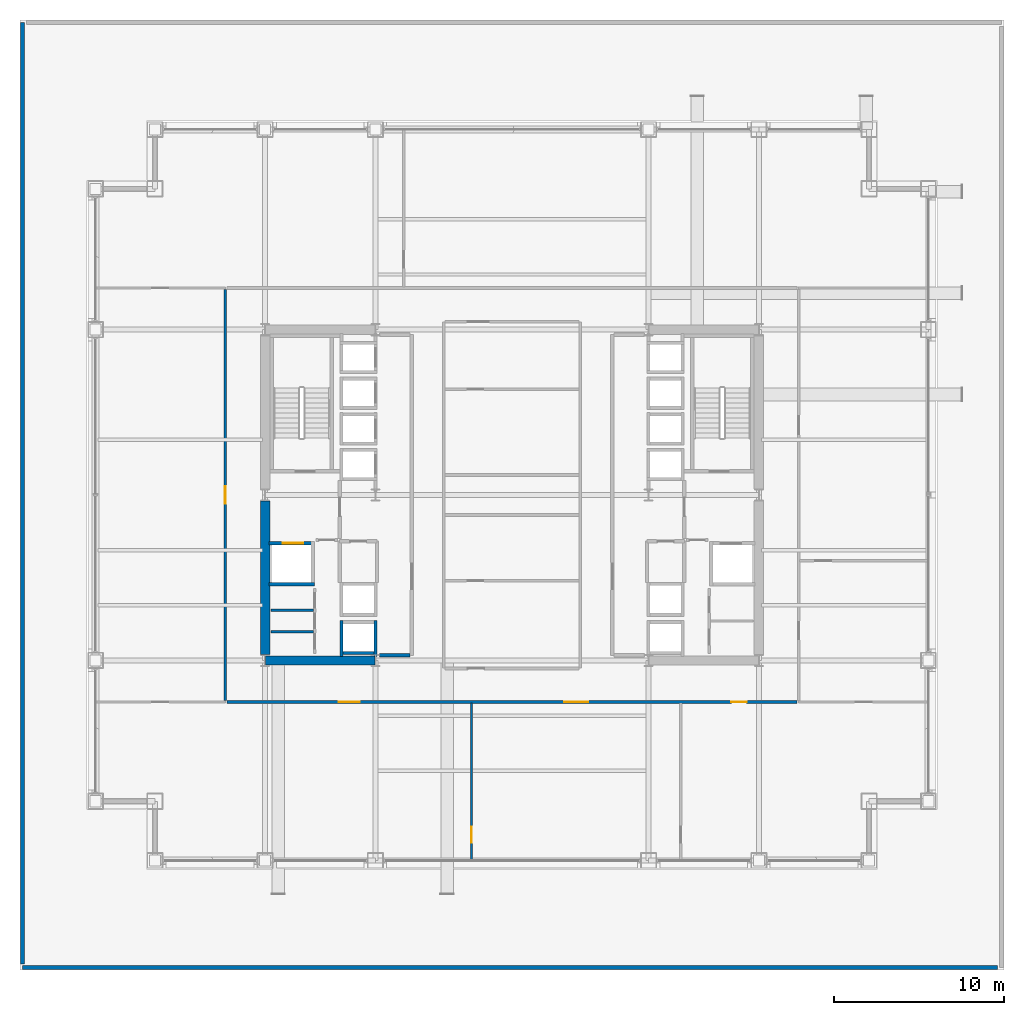
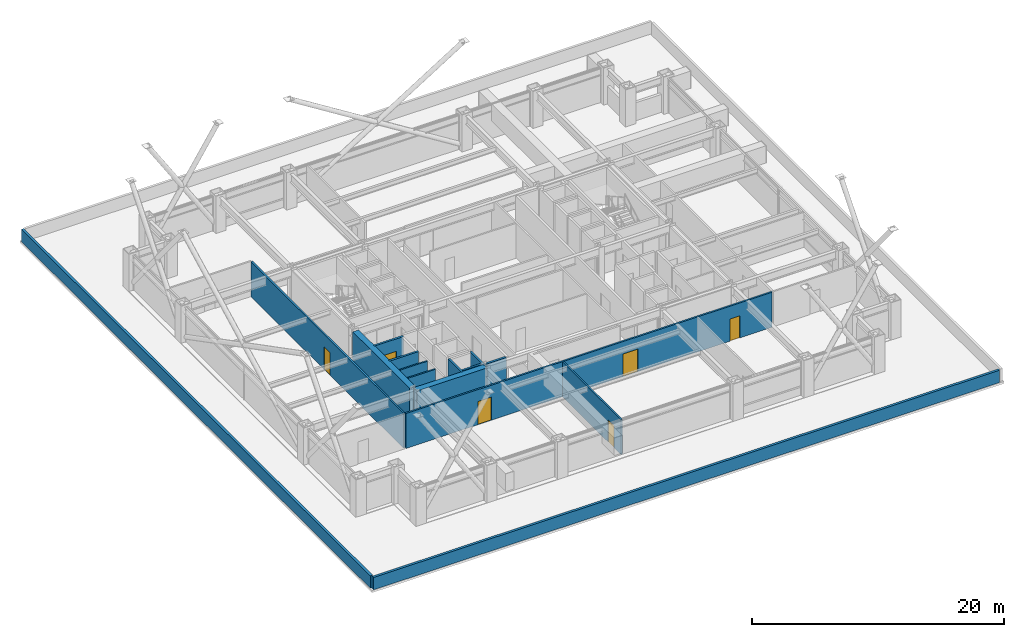
# One storey, part 29 of 33: 15 walls, 6 doors, 6 openings.
"""IFC4 building model written with IfcOpenShell, lengths in metres."""

from ifc_helpers import new_model, si_unit, direction, frame, frame_2d, origin, place, context, subcontext, project, spatial, rectangle, extrude, material, layer, layer_set, type_object, element, fill, save


model = new_model("IFC4")

# Units and contexts
model_context = context("Model", 3, precision=1e-05, world=origin(), true_north=direction((0.0, 1.0)))
body_context = subcontext(model_context, "Body", "Model", "MODEL_VIEW")
ifc_project = project(units=[si_unit("LENGTHUNIT", "METRE"), si_unit("AREAUNIT", "SQUARE_METRE"), si_unit("VOLUMEUNIT", "CUBIC_METRE"), si_unit("PLANEANGLEUNIT", "RADIAN"), si_unit("MASSUNIT", "GRAM", prefix="KILO")], contexts=[model_context])

# Site, building, storey
site_placement = place(None, origin())
site = spatial("IfcSite", under=ifc_project, at=site_placement, CompositionType="ELEMENT")
building_placement = place(site_placement, origin())
building = spatial("IfcBuilding", under=site, at=building_placement, Name="Brelmoor Portico Tower", CompositionType="ELEMENT")
storey_placement = place(building_placement, frame((0.0, 0.0, 24.0)))
storey = spatial("IfcBuildingStorey", under=building, at=storey_placement, Name="L05", CompositionType="ELEMENT", Elevation=24.0)

# Walls
ifc_material_1 = material(Name="Concrete C60", Category="concrete")
ifc_layer_1 = layer(ifc_material_1, 0.550048828125)
ifc_layer_set_1 = layer_set([ifc_layer_1], Name="Concrete C60")
wall_type_1 = type_object("IfcWallType", Name="WL-CORE-550", PredefinedType="SHEAR", material=ifc_layer_set_1)
wall_1_placement = place(storey_placement, frame((-14.530029296875, -9.75, -0.199951171875), z_axis=(0.0, 0.0, 1.0), x_axis=(1.0, 0.0, 0.0)))
element("IfcWall", 1, at=wall_1_placement, inside=storey, type_object=wall_type_1, Name="L05 WC South Shear Wall", PredefinedType="SHEAR", context=body_context, shape_type="SweptSolid", body=[
    extrude(rectangle(XDim=6.4599609375, YDim=0.550048828125, at=frame_2d((3.22998046875, 0.0))), origin(), (0.0, 0.0, 1.0), 3.599853515625),
])
wall_2_placement = place(storey_placement, frame((-14.550048828125, -9.39990234375, -0.199951171875), z_axis=(0.0, 0.0, 1.0), x_axis=(0.0, 1.0, 0.0)))
element("IfcWall", 2, at=wall_2_placement, inside=storey, type_object=wall_type_1, Name="L05 WC Outer South Shear Wall", PredefinedType="SHEAR", context=body_context, shape_type="SweptSolid", body=[
    extrude(rectangle(XDim=9.0498046875, YDim=0.550048828125, at=frame_2d((4.52490234375, 0.0))), origin(), (0.0, 0.0, 1.0), 3.599853515625),
])
ifc_material_2 = material(Name="Concrete C40 Parapet Upstand", Category="concrete")
ifc_layer_2 = layer(ifc_material_2, 0.219970703125)
ifc_layer_set_2 = layer_set([ifc_layer_2], Name="Concrete C40 Parapet Upstand")
wall_type_2 = type_object("IfcWallType", Name="WL-PARAPET-220", PredefinedType="PARAPET", material=ifc_layer_set_2)
wall_3_placement = place(storey_placement, frame((-28.85009765625, -27.85009765625, 0.0), z_axis=(0.0, 0.0, 1.0), x_axis=(1.0, 0.0, 0.0)))
element("IfcWall", 3, at=wall_3_placement, inside=storey, type_object=wall_type_2, Name="L05 Roof Parapet Wall 01", PredefinedType="PARAPET", context=body_context, shape_type="SweptSolid", body=[
    extrude(rectangle(XDim=57.47998046875, YDim=0.219970703125, at=frame_2d((28.739990234375, 0.0))), origin(), (0.0, 0.0, 1.0), 1.199951171875),
])
wall_4_placement = place(storey_placement, frame((-28.85009765625, 27.85009765625, 0.0), z_axis=(0.0, 0.0, 1.0), x_axis=(0.0, -1.0, 0.0)))
element("IfcWall", 4, at=wall_4_placement, inside=storey, type_object=wall_type_2, Name="L05 Roof Parapet Wall 04", PredefinedType="PARAPET", context=body_context, shape_type="SweptSolid", body=[
    extrude(rectangle(XDim=55.47998046875, YDim=0.219970703125, at=frame_2d((27.739990234375, 0.0))), origin(), (0.0, 0.0, 1.0), 1.199951171875),
])
ifc_material_3 = material(Name="Insulated Stud Suite Partition", Category="gypsum")
ifc_layer_3 = layer(ifc_material_3, 0.139892578125)
ifc_layer_set_3 = layer_set([ifc_layer_3], Name="Insulated Stud Suite Partition")
wall_type_3 = type_object("IfcWallType", Name="WL-PART-140", PredefinedType="PARTITIONING", material=ifc_layer_set_3)
for number, where, z_axis, x_axis, name in (
    (5, (-11.699951171875, -8.066650390625, 0.0), (0.0, 0.0, 1.0), (-1.0, 0.0, 0.0), "L05 W Core WC Divider 1"),
    (6, (-11.699951171875, -6.783203125, 0.0), (0.0, 0.0, 1.0), (-1.0, 0.0, 0.0), "L05 W Core WC Divider 2"),
):
    element("IfcWall", number, at=place(storey_placement, frame(where, z_axis=z_axis, x_axis=x_axis)), inside=storey, type_object=wall_type_3, Name=name, PredefinedType="PARTITIONING", context=body_context, shape_type="SweptSolid", body=[
        extrude(rectangle(XDim=2.5, YDim=0.139892578125, at=frame_2d((1.25, 0.0))), origin(), (0.0, 0.0, 1.0), 3.39990234375),
    ])

# Wall, opening, door
wall_5_placement = place(storey_placement, frame((-2.38916015625, -21.56005859375, 0.0), z_axis=(0.0, 0.0, 1.0), x_axis=(0.0, 1.0, 0.0)))
wall_5 = element("IfcWall", 7, at=wall_5_placement, inside=storey, type_object=wall_type_3, Name="L05 South Suite Partition 1", PredefinedType="PARTITIONING", context=body_context, shape_type="SweptSolid", body=[
    extrude(rectangle(XDim=9.300048828125, YDim=0.139892578125, at=frame_2d((4.64990234375, 0.0))), origin(), (0.0, 0.0, 1.0), 3.39990234375),
])
opening_1_placement = place(wall_5_placement, frame((1.050048828125, 0.0, 0.0)))
opening_1 = element("IfcOpeningElement", 8, at=opening_1_placement, cuts=wall_5, Name="Opening D-IN2", PredefinedType="OPENING", context=body_context, shape_type="SweptSolid", body=[
    extrude(rectangle(XDim=0.9599609375, YDim=2.179931640625, at=frame_2d((0.47998046875, 1.08984375))), frame((0.0, 0.079833984375, 0.0), z_axis=(0.0, -1.0, 0.0), x_axis=(1.0, 0.0, 0.0)), (0.0, 0.0, 1.0), 0.159912109375),
])
ifc_material_4 = material(Name="Lacquered Timber Suite Door", Category="wood")
door_type_1 = type_object("IfcDoorType", Name="DR-INT-950", OperationType="NOTDEFINED", PredefinedType="DOOR", material=ifc_material_4)
door_1_placement = place(opening_1_placement, origin())
door_1 = element("IfcDoor", 9, at=door_1_placement, inside=storey, type_object=door_type_1, Name="D-0250 L05 South Suite Connecting Door 1", OperationType="SINGLE_SWING_LEFT", OverallHeight=2.179931640625, OverallWidth=0.9599609375, PredefinedType="DOOR", context=body_context, shape_type="SweptSolid", body=[
    extrude(rectangle(XDim=0.9599609375, YDim=2.179931640625, at=frame_2d((0.47998046875, 1.08984375))), frame((0.0, 0.02490234375, 0.0), z_axis=(0.0, -1.0, 0.0), x_axis=(1.0, 0.0, 0.0)), (0.0, 0.0, 1.0), 0.050048828125),
])
fill(opening_1, door_1)

# Wall, openings, doors
ifc_material_5 = material(Name="Twin-Frame Acoustic Partition", Category="gypsum")
ifc_layer_4 = layer(ifc_material_5, 0.159912109375)
ifc_layer_set_4 = layer_set([ifc_layer_4], Name="Twin-Frame Acoustic Partition")
wall_type_4 = type_object("IfcWallType", Name="WL-PART-160", PredefinedType="PARTITIONING", material=ifc_layer_set_4)
wall_6_placement = place(storey_placement, frame((-16.800048828125, -12.199951171875, 0.0), z_axis=(0.0, 0.0, 1.0), x_axis=(1.0, 0.0, 0.0)))
wall_6 = element("IfcWall", 10, at=wall_6_placement, inside=storey, type_object=wall_type_4, Name="L05 South Corridor Partition", PredefinedType="PARTITIONING", context=body_context, shape_type="SweptSolid", body=[
    extrude(rectangle(XDim=33.60009765625, YDim=0.159912109375, at=frame_2d((16.800048828125, 0.0))), origin(), (0.0, 0.0, 1.0), 3.39990234375),
])
opening_2_placement = place(wall_6_placement, frame((6.58544921875, 0.0, 0.0)))
opening_2 = element("IfcOpeningElement", 11, at=opening_2_placement, cuts=wall_6, Name="Opening D-SU1", PredefinedType="OPENING", context=body_context, shape_type="SweptSolid", body=[
    extrude(rectangle(XDim=1.239990234375, YDim=2.239990234375, at=frame_2d((0.6201171875, 1.1201171875))), frame((0.0, 0.08984375, 0.0), z_axis=(0.0, -1.0, 0.0), x_axis=(1.0, 0.0, 0.0)), (0.0, 0.0, 1.0), 0.179931640625),
])
opening_3_placement = place(wall_6_placement, frame((19.8828125, 0.0, 0.0)))
opening_3 = element("IfcOpeningElement", 12, at=opening_3_placement, cuts=wall_6, Name="Opening D-SU2", PredefinedType="OPENING", context=body_context, shape_type="SweptSolid", body=[
    extrude(rectangle(XDim=1.39990234375, YDim=2.199951171875, at=frame_2d((0.699951171875, 1.10009765625))), frame((0.0, 0.08984375, 0.0), z_axis=(0.0, -1.0, 0.0), x_axis=(1.0, 0.0, 0.0)), (0.0, 0.0, 1.0), 0.179931640625),
])
opening_4_placement = place(wall_6_placement, frame((29.7275390625, 0.0, 0.0)))
opening_4 = element("IfcOpeningElement", 13, at=opening_4_placement, cuts=wall_6, Name="Opening D-IN1", PredefinedType="OPENING", context=body_context, shape_type="SweptSolid", body=[
    extrude(rectangle(XDim=0.89990234375, YDim=2.14990234375, at=frame_2d((0.449951171875, 1.074951171875))), frame((0.0, 0.08984375, 0.0), z_axis=(0.0, -1.0, 0.0), x_axis=(1.0, 0.0, 0.0)), (0.0, 0.0, 1.0), 0.179931640625),
])
door_type_2 = type_object("IfcDoorType", Name="DR-INT-900", OperationType="NOTDEFINED", PredefinedType="DOOR", material=ifc_material_4)
door_2_placement = place(opening_4_placement, origin())
door_2 = element("IfcDoor", 14, at=door_2_placement, inside=storey, type_object=door_type_2, Name="D-0249 L05 South Open-Plan Office Studio 3 Door", OperationType="SINGLE_SWING_RIGHT", OverallHeight=2.14990234375, OverallWidth=0.89990234375, PredefinedType="DOOR", context=body_context, shape_type="SweptSolid", body=[
    extrude(rectangle(XDim=0.89990234375, YDim=2.14990234375, at=frame_2d((0.449951171875, 1.074951171875))), frame((0.0, 0.02490234375, 0.0), z_axis=(0.0, -1.0, 0.0), x_axis=(1.0, 0.0, 0.0)), (0.0, 0.0, 1.0), 0.050048828125),
])
fill(opening_4, door_2)
ifc_material_6 = material(Name="Glazed Timber Executive Suite Door", Category="wood")
door_type_3 = type_object("IfcDoorType", Name="DR-SUITE-1200", OperationType="NOTDEFINED", PredefinedType="DOOR", material=ifc_material_6)
door_3_placement = place(opening_2_placement, origin())
door_3 = element("IfcDoor", 15, at=door_3_placement, inside=storey, type_object=door_type_3, Name="D-0247 L05 South Client Reception Room 1 Door", OperationType="SINGLE_SWING_LEFT", OverallHeight=2.239990234375, OverallWidth=1.239990234375, PredefinedType="DOOR", context=body_context, shape_type="SweptSolid", body=[
    extrude(rectangle(XDim=1.239990234375, YDim=2.239990234375, at=frame_2d((0.6201171875, 1.1201171875))), frame((0.0, 0.02490234375, 0.0), z_axis=(0.0, -1.0, 0.0), x_axis=(1.0, 0.0, 0.0)), (0.0, 0.0, 1.0), 0.050048828125),
])
fill(opening_2, door_3)
ifc_material_7 = material(Name="Double-Leaf Acoustic Suite Door", Category="timber")
door_type_4 = type_object("IfcDoorType", Name="DR-SUITE-1400", OperationType="NOTDEFINED", PredefinedType="DOOR", material=ifc_material_7)
door_4_placement = place(opening_3_placement, origin())
door_4 = element("IfcDoor", 16, at=door_4_placement, inside=storey, type_object=door_type_4, Name="D-0248 L05 South Technical Archive Store 2 Door", OperationType="DOUBLE_DOOR_SINGLE_SWING", OverallHeight=2.199951171875, OverallWidth=1.39990234375, PredefinedType="DOOR", context=body_context, shape_type="SweptSolid", body=[
    extrude(rectangle(XDim=1.39990234375, YDim=2.199951171875, at=frame_2d((0.699951171875, 1.10009765625))), frame((0.0, 0.02490234375, 0.0), z_axis=(0.0, -1.0, 0.0), x_axis=(1.0, 0.0, 0.0)), (0.0, 0.0, 1.0), 0.050048828125),
])
fill(opening_3, door_4)

# Wall, opening, door
wall_7_placement = place(storey_placement, frame((-16.89990234375, -12.1201171875, 0.0), z_axis=(0.0, 0.0, 1.0), x_axis=(0.0, 1.0, 0.0)))
wall_7 = element("IfcWall", 17, at=wall_7_placement, inside=storey, type_object=wall_type_4, Name="L05 W Wing Corridor Wall", PredefinedType="PARTITIONING", context=body_context, shape_type="SweptSolid", body=[
    extrude(rectangle(XDim=24.240234375, YDim=0.159912109375, at=frame_2d((12.1201171875, 0.0))), origin(), (0.0, 0.0, 1.0), 3.39990234375),
])
opening_5_placement = place(wall_7_placement, frame((11.610107421875, 0.0, 0.0)))
opening_5 = element("IfcOpeningElement", 18, at=opening_5_placement, cuts=wall_7, Name="Opening D-OF1", PredefinedType="OPENING", context=body_context, shape_type="SweptSolid", body=[
    extrude(rectangle(XDim=1.02001953125, YDim=2.199951171875, at=frame_2d((0.510009765625, 1.10009765625))), frame((0.0, 0.08984375, 0.0), z_axis=(0.0, -1.0, 0.0), x_axis=(1.0, 0.0, 0.0)), (0.0, 0.0, 1.0), 0.179931640625),
])
ifc_material_8 = material(Name="Hardwood Acoustic Veneer Door", Category="wood")
door_type_5 = type_object("IfcDoorType", Name="DR-OFFICE-1000", OperationType="NOTDEFINED", PredefinedType="DOOR", material=ifc_material_8)
door_5_placement = place(opening_5_placement, origin())
door_5 = element("IfcDoor", 19, at=door_5_placement, inside=storey, type_object=door_type_5, Name="D-0259 L05 W Partner Cellular Office 1 Door", OperationType="SINGLE_SWING_LEFT", OverallHeight=2.199951171875, OverallWidth=1.02001953125, PredefinedType="DOOR", context=body_context, shape_type="SweptSolid", body=[
    extrude(rectangle(XDim=1.02001953125, YDim=2.199951171875, at=frame_2d((0.510009765625, 1.10009765625))), frame((0.0, 0.02490234375, 0.0), z_axis=(0.0, -1.0, 0.0), x_axis=(1.0, 0.0, 0.0)), (0.0, 0.0, 1.0), 0.050048828125),
])
fill(opening_5, door_5)

# Walls
ifc_material_9 = material(Name="Double-Stud Gypsum Fire Partition", Category="gypsum")
ifc_layer_5 = layer(ifc_material_9, 0.199951171875)
ifc_layer_set_5 = layer_set([ifc_layer_5], Name="Double-Stud Gypsum Fire Partition")
wall_type_5 = type_object("IfcWallType", Name="WL-PART-200", PredefinedType="PARTITIONING", material=ifc_layer_set_5)
wall_8_placement = place(storey_placement, frame((-6.02001953125, -9.449951171875, 0.0), z_axis=(0.0, 0.0, 1.0), x_axis=(-1.0, 0.0, 0.0)))
element("IfcWall", 20, at=wall_8_placement, inside=storey, type_object=wall_type_5, Name="L05 W Lift Lobby South End Wall", PredefinedType="PARTITIONING", context=body_context, shape_type="SweptSolid", body=[
    extrude(rectangle(XDim=1.800048828125, YDim=0.199951171875, at=frame_2d((0.89990234375, 0.0))), origin(), (0.0, 0.0, 1.0), 3.39990234375),
])
ifc_material_10 = material(Name="Precast Concrete C40", Category="concrete")
ifc_layer_6 = layer(ifc_material_10, 0.18994140625)
ifc_layer_set_6 = layer_set([ifc_layer_6], Name="Precast Concrete C40")
wall_type_6 = type_object("IfcWallType", Name="WL-SHAFT-180", PredefinedType="SOLIDWALL", material=ifc_layer_set_6)
for number, where, z_axis, x_axis, name in (
    (21, (-8.044921875, -9.52001953125, -0.199951171875), (0.0, 0.0, 1.0), (0.0, 1.0, 0.0), "L05 Lift PH1 Hoistway Front Wall"),
    (22, (-10.054931640625, -9.52001953125, -0.199951171875), (0.0, 0.0, 1.0), (0.0, 1.0, 0.0), "L05 Lift PH1 Hoistway Back Wall"),
):
    element("IfcWall", number, at=place(storey_placement, frame(where, z_axis=z_axis, x_axis=x_axis)), inside=storey, type_object=wall_type_6, Name=name, PredefinedType="SOLIDWALL", context=body_context, shape_type="SweptSolid", body=[
        extrude(rectangle(XDim=2.1201171875, YDim=0.18994140625, at=frame_2d((1.06005859375, 0.0))), origin(), (0.0, 0.0, 1.0), 3.599853515625),
    ])
wall_9_placement = place(storey_placement, frame((-10.14990234375, -9.304931640625, -0.199951171875), z_axis=(0.0, 0.0, 1.0), x_axis=(1.0, 0.0, 0.0)))
element("IfcWall", 23, at=wall_9_placement, inside=storey, type_object=wall_type_6, Name="L05 Lift PH1 Hoistway South Wall", PredefinedType="SOLIDWALL", context=body_context, shape_type="SweptSolid", body=[
    extrude(rectangle(XDim=2.199951171875, YDim=0.18994140625, at=frame_2d((1.10009765625, 0.0))), origin(), (0.0, 0.0, 1.0), 3.599853515625),
])

# Wall, opening, door
wall_10_placement = place(storey_placement, frame((-14.330078125, -2.844970703125, -0.199951171875), z_axis=(0.0, 0.0, 1.0), x_axis=(1.0, 0.0, 0.0)))
wall_10 = element("IfcWall", 24, at=wall_10_placement, inside=storey, type_object=wall_type_6, Name="L05 Lift FF1 Hoistway Front Wall", PredefinedType="SOLIDWALL", context=body_context, shape_type="SweptSolid", body=[
    extrude(rectangle(XDim=2.68017578125, YDim=0.18994140625, at=frame_2d((1.340087890625, 0.0))), origin(), (0.0, 0.0, 1.0), 3.599853515625),
])
opening_6_placement = place(wall_10_placement, frame((0.830078125, 0.0, 0.199951171875)))
opening_6 = element("IfcOpeningElement", 25, at=opening_6_placement, cuts=wall_10, Name="Opening LD-02", PredefinedType="OPENING", context=body_context, shape_type="SweptSolid", body=[
    extrude(rectangle(XDim=1.199951171875, YDim=2.199951171875, at=frame_2d((0.60009765625, 1.10009765625))), frame((0.0, 0.10498046875, 0.0), z_axis=(0.0, -1.0, 0.0), x_axis=(1.0, 0.0, 0.0)), (0.0, 0.0, 1.0), 0.2099609375),
])
ifc_material_11 = material(Name="Brushed Stainless Steel Firefighting Lift Door", Category="steel")
door_type_6 = type_object("IfcDoorType", Name="DR-LIFT-1200", OperationType="NOTDEFINED", PredefinedType="DOOR", material=ifc_material_11)
door_6_placement = place(opening_6_placement, origin())
door_6 = element("IfcDoor", 26, at=door_6_placement, inside=storey, type_object=door_type_6, Name="D-0260 L05 Lift FF1 Sliding Landing Door", OperationType="SLIDING_TO_LEFT", OverallHeight=2.199951171875, OverallWidth=1.199951171875, PredefinedType="DOOR", context=body_context, shape_type="SweptSolid", body=[
    extrude(rectangle(XDim=1.199951171875, YDim=2.199951171875, at=frame_2d((0.60009765625, 1.10009765625))), frame((0.0, 0.02490234375, 0.0), z_axis=(0.0, -1.0, 0.0), x_axis=(1.0, 0.0, 0.0)), (0.0, 0.0, 1.0), 0.050048828125),
])
fill(opening_6, door_6)

# Wall
wall_11_placement = place(storey_placement, frame((-14.330078125, -5.2548828125, -0.199951171875), z_axis=(0.0, 0.0, 1.0), x_axis=(1.0, 0.0, 0.0)))
element("IfcWall", 27, at=wall_11_placement, inside=storey, type_object=wall_type_6, Name="L05 Firefighting Lift FF1 South Wall", PredefinedType="SOLIDWALL", context=body_context, shape_type="SweptSolid", body=[
    extrude(rectangle(XDim=2.68017578125, YDim=0.18994140625, at=frame_2d((1.340087890625, 0.0))), origin(), (0.0, 0.0, 1.0), 3.599853515625),
])

save(model, "model.ifc")
